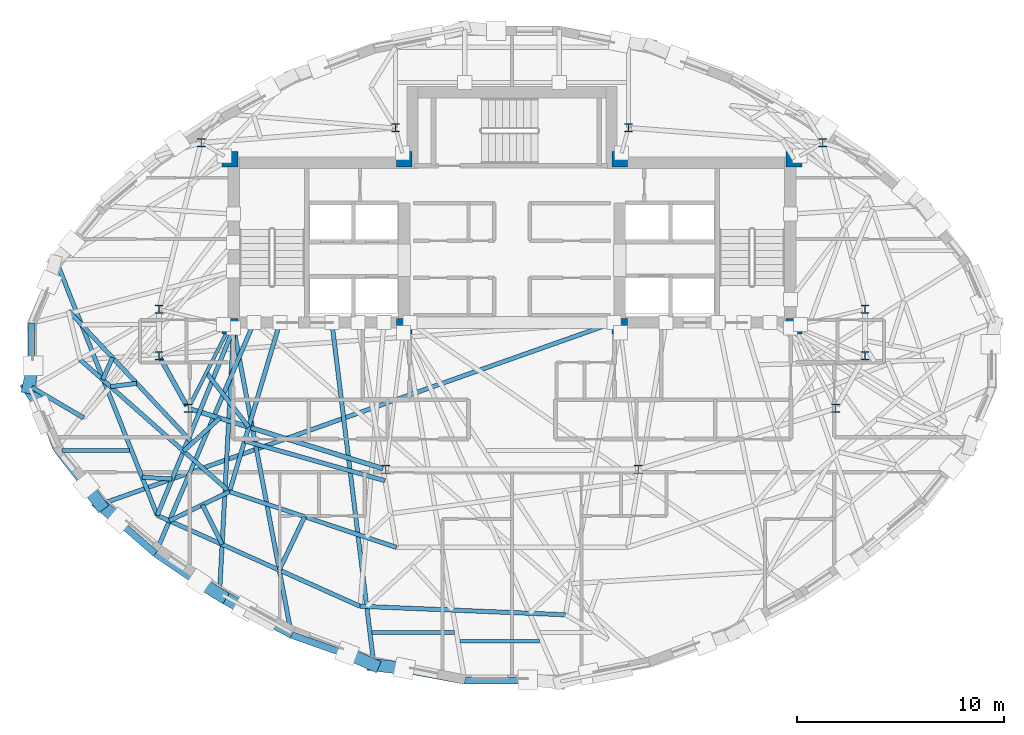
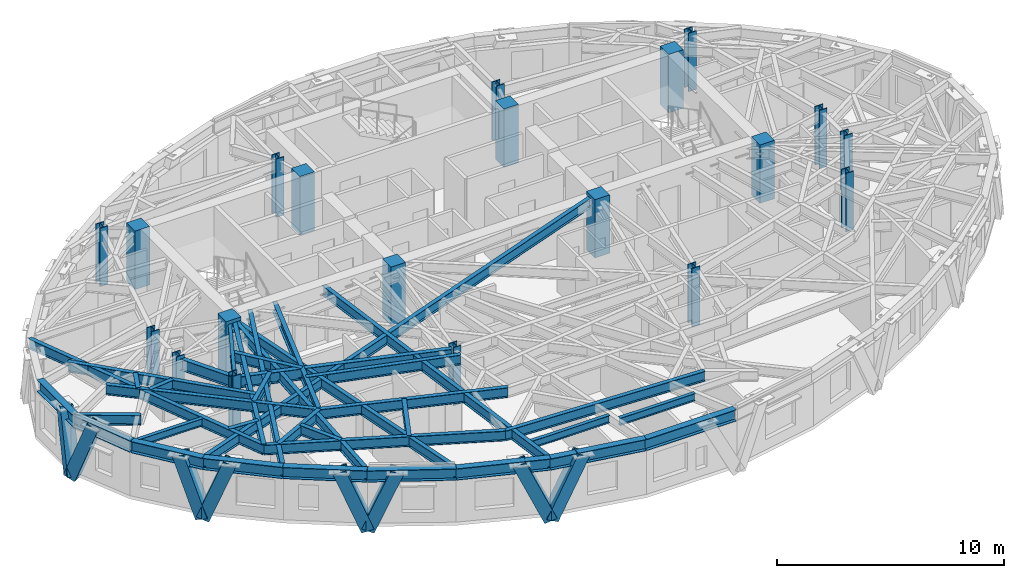
# One storey, part 1 of 14: 38 beams, 20 columns, 8 members.
"""IFC4 building model written with IfcOpenShell, lengths in metres."""

from ifc_helpers import new_model, si_unit, direction, frame, origin, origin_2d, place, context, subcontext, project, spatial, rectangle, hollow_rectangle, i_section, extrude, material, material_profile, profile_set, type_object, element, save


model = new_model("IFC4")

# Units and contexts
model_context = context("Model", 3, precision=1e-05, world=origin(), true_north=direction((0.0, 1.0)))
body_context = subcontext(model_context, "Body", "Model", "MODEL_VIEW")
ifc_project = project(units=[si_unit("LENGTHUNIT", "METRE"), si_unit("AREAUNIT", "SQUARE_METRE"), si_unit("VOLUMEUNIT", "CUBIC_METRE"), si_unit("PLANEANGLEUNIT", "RADIAN"), si_unit("MASSUNIT", "GRAM", prefix="KILO")], contexts=[model_context])

# Site, building, storey
site_placement = place(None, origin())
site = spatial("IfcSite", under=ifc_project, at=site_placement, CompositionType="ELEMENT")
building_placement = place(site_placement, origin())
building = spatial("IfcBuilding", under=site, at=building_placement, Name="Keldmark Tower", CompositionType="ELEMENT")
storey_placement = place(building_placement, frame((0.0, 0.0, 216.300048828125)))
storey = spatial("IfcBuildingStorey", under=building, at=storey_placement, Name="L60", CompositionType="ELEMENT", Elevation=216.300048828125)

# Columns
ifc_material_1 = material(Name="Concrete C50/60", Category="concrete")
ifc_material_profile_1 = material_profile(ifc_material_1, rectangle(XDim=0.75, YDim=0.75, at=origin_2d()), Name="RC750X750")
ifc_profile_set_1 = profile_set([ifc_material_profile_1], Name="Concrete C50/60")
column_type_1 = type_object("IfcColumnType", Name="Core Boundary Column RC750", PredefinedType="PILASTER", material=ifc_profile_set_1)
for number, where, z_axis, x_axis, name in (
    (1, (-13.60009765625, 1.39990234375, 0.0), (0.0, 0.0, 1.0), (1.0, 0.0, 0.0), "L60 Core Boundary Column CC-W1"),
    (2, (-13.60009765625, 9.449951171875, 0.0), (0.0, 0.0, 1.0), (1.0, 0.0, 0.0), "L60 Core Boundary Column CC-W2"),
    (3, (-5.199951171875, 1.39990234375, 0.0), (0.0, 0.0, 1.0), (1.0, 0.0, 0.0), "L60 Core Boundary Column CC-W3"),
    (4, (-5.199951171875, 9.449951171875, 0.0), (0.0, 0.0, 1.0), (1.0, 0.0, 0.0), "L60 Core Boundary Column CC-W4"),
    (5, (5.199951171875, 1.39990234375, 0.0), (0.0, 0.0, 1.0), (1.0, 0.0, 0.0), "L60 Core Boundary Column CC-E1"),
    (6, (5.199951171875, 9.449951171875, 0.0), (0.0, 0.0, 1.0), (1.0, 0.0, 0.0), "L60 Core Boundary Column CC-E2"),
    (7, (13.60009765625, 1.39990234375, 0.0), (0.0, 0.0, 1.0), (1.0, 0.0, 0.0), "L60 Core Boundary Column CC-E3"),
    (8, (13.60009765625, 9.449951171875, 0.0), (0.0, 0.0, 1.0), (1.0, 0.0, 0.0), "L60 Core Boundary Column CC-E4"),
):
    element("IfcColumn", number, at=place(storey_placement, frame(where, z_axis=z_axis, x_axis=x_axis)), inside=storey, type_object=column_type_1, Name=name, PredefinedType="PILASTER", context=body_context, shape_type="SweptSolid", body=[
        extrude(rectangle(XDim=0.75, YDim=0.75, at=origin_2d()), origin(), (0.0, 0.0, 1.0), 3.14990234375),
    ])
ifc_material_2 = material(Name="Steel ASTM A992 Grade 50", Category="steel")
ifc_material_profile_2 = material_profile(ifc_material_2, i_section(OverallWidth=0.404052734375, OverallDepth=0.406982421875, WebThickness=0.027099609375, FlangeThickness=0.043701171875, at=origin_2d()), Name="W14X233")
ifc_profile_set_2 = profile_set([ifc_material_profile_2], Name="Steel ASTM A992 Grade 50")
column_type_2 = type_object("IfcColumnType", Name="Tower Gravity Column W14X233", PredefinedType="COLUMN", material=ifc_profile_set_2)
for number, where, z_axis, x_axis, name in (
    (9, (17.025634765625, 2.2080078125, 0.0), (0.0, 0.0, 1.0), (1.0, 0.0, 0.0), "L60 Tower Gravity Column TC-E1"),
    (10, (14.995849609375, 10.24365234375, 0.0), (0.0, 0.0, 1.0), (1.0, 0.0, 0.0), "L60 Tower Gravity Column TC-E4"),
    (11, (5.61865234375, 10.967041015625, 0.0), (0.0, 0.0, 1.0), (1.0, 0.0, 0.0), "L60 Tower Gravity Column TC-N2"),
    (12, (-5.61865234375, 10.967041015625, 0.0), (0.0, 0.0, 1.0), (1.0, 0.0, 0.0), "L60 Tower Gravity Column TC-N1"),
    (13, (-14.995849609375, 10.24365234375, 0.0), (0.0, 0.0, 1.0), (1.0, 0.0, 0.0), "L60 Tower Gravity Column TC-W4"),
    (14, (-17.025634765625, 2.2080078125, 0.0), (0.0, 0.0, 1.0), (1.0, 0.0, 0.0), "L60 Tower Gravity Column TC-W1"),
    (15, (-17.025634765625, -0.02392578125, 0.0), (0.0, 0.0, 1.0), (1.0, 0.0, 0.0), "L60 Tower Gravity Column TC-W5"),
    (16, (-15.6162109375, -2.5673828125, 0.0), (0.0, 0.0, 1.0), (1.0, 0.0, 0.0), "L60 Tower Gravity Column TC-W2"),
    (17, (-6.089599609375, -5.512939453125, 0.0), (0.0, 0.0, 1.0), (1.0, 0.0, 0.0), "L60 Tower Gravity Column TC-W3"),
    (18, (6.089599609375, -5.512939453125, 0.0), (0.0, 0.0, 1.0), (1.0, 0.0, 0.0), "L60 Tower Gravity Column TC-E3"),
    (19, (15.6162109375, -2.5673828125, 0.0), (0.0, 0.0, 1.0), (1.0, 0.0, 0.0), "L60 Tower Gravity Column TC-E2"),
    (20, (17.025634765625, -0.02392578125, 0.0), (0.0, 0.0, 1.0), (1.0, 0.0, 0.0), "L60 Tower Gravity Column TC-E5"),
):
    element("IfcColumn", number, at=place(storey_placement, frame(where, z_axis=z_axis, x_axis=x_axis)), inside=storey, type_object=column_type_2, Name=name, PredefinedType="COLUMN", context=body_context, shape_type="SweptSolid", body=[
        extrude(i_section(OverallWidth=0.404052734375, OverallDepth=0.406982421875, WebThickness=0.027099609375, FlangeThickness=0.043701171875, at=origin_2d()), origin(), (0.0, 0.0, 1.0), 3.14990234375),
    ])

# Beams
ifc_material_3 = material(Name="Steel ASTM A992 Grade 50", Category="steel")
ifc_material_profile_3 = material_profile(ifc_material_3, i_section(OverallWidth=0.177978515625, OverallDepth=0.403076171875, WebThickness=0.007568359375, FlangeThickness=0.010986328125, at=origin_2d()), Name="W16X36")
ifc_profile_set_3 = profile_set([ifc_material_profile_3], Name="Steel ASTM A992 Grade 50")
beam_type_1 = type_object("IfcBeamType", Name="Composite Floor Joist W16X36", PredefinedType="JOIST", material=ifc_profile_set_3)
beam_1_placement = place(storey_placement, frame((-6.75439453125, -13.3798828125, 2.7685546875), z_axis=(1.0, 0.0, 0.0), x_axis=(0.0, 1.0, 0.0)))
element("IfcBeam", 21, at=beam_1_placement, inside=storey, type_object=beam_type_1, Name="L60 Composite Floor Joist J01", PredefinedType="JOIST", context=body_context, shape_type="SweptSolid", body=[
    extrude(i_section(OverallWidth=0.177978515625, OverallDepth=0.403076171875, WebThickness=0.007568359375, FlangeThickness=0.010986328125, at=origin_2d()), origin(), (0.0, 0.0, 1.0), 3.9765625),
])
beam_2_placement = place(storey_placement, frame((-2.5107421875, -13.800048828125, 2.7685546875), z_axis=(1.0, 0.0, 0.0), x_axis=(0.0, 1.0, 0.0)))
element("IfcBeam", 22, at=beam_2_placement, inside=storey, type_object=beam_type_1, Name="L60 Composite Floor Joist J02", PredefinedType="JOIST", context=body_context, shape_type="SweptSolid", body=[
    extrude(i_section(OverallWidth=0.177978515625, OverallDepth=0.403076171875, WebThickness=0.007568359375, FlangeThickness=0.010986328125, at=origin_2d()), origin(), (0.0, 0.0, 1.0), 3.84765625),
])
beam_3_placement = place(storey_placement, frame((-21.712646484375, -4.60009765625, 2.7685546875), z_axis=(1.0, 0.0, 0.0), x_axis=(0.0, 1.0, 0.0)))
element("IfcBeam", 23, at=beam_3_placement, inside=storey, type_object=beam_type_1, Name="L60 Composite Floor Joist J04", PredefinedType="JOIST", context=body_context, shape_type="SweptSolid", body=[
    extrude(i_section(OverallWidth=0.177978515625, OverallDepth=0.403076171875, WebThickness=0.007568359375, FlangeThickness=0.010986328125, at=origin_2d()), origin(), (0.0, 0.0, 1.0), 3.26025390625),
])

# Members
ifc_material_4 = material(Name="Steel ASTM A572 Grade 50", Category="steel")
ifc_material_profile_4 = material_profile(ifc_material_4, hollow_rectangle(XDim=0.60009765625, YDim=0.60009765625, WallThickness=0.034912109375, at=origin_2d()), Name="BOX600X600X35")
ifc_profile_set_4 = profile_set([ifc_material_profile_4], Name="Steel ASTM A572 Grade 50")
member_type = type_object("IfcMemberType", Name="Diagrid Zone 4 Brace BOX600X600X35", PredefinedType="BRACE", material=ifc_profile_set_4)
member_1_placement = place(storey_placement, frame((-23.32421875, -1.56787109375, -0.260009765625), z_axis=(0.068367800686, 0.318158950856, 0.945568995801), x_axis=(-0.977682077903, 0.21008987255, 0.0)))
element("IfcMember", 24, at=member_1_placement, inside=storey, type_object=member_type, Name="L60 Perimeter Diagrid Brace 08B", PredefinedType="BRACE", context=body_context, shape_type="SweptSolid", body=[
    extrude(hollow_rectangle(XDim=0.60009765625, YDim=0.60009765625, WallThickness=0.034912109375, at=origin_2d()), origin(), (0.0, 0.0, 1.0), 3.288818359375),
])
member_2_placement = place(storey_placement, frame((-23.32421875, -1.55615234375, -0.260009765625), z_axis=(0.187188112077, -0.29410019024, 0.937265004573), x_axis=(0.843618030862, 0.53694377546, 0.0)))
element("IfcMember", 25, at=member_2_placement, inside=storey, type_object=member_type, Name="L60 Perimeter Diagrid Brace 09A", PredefinedType="BRACE", context=body_context, shape_type="SweptSolid", body=[
    extrude(hollow_rectangle(XDim=0.60009765625, YDim=0.60009765625, WallThickness=0.034912109375, at=origin_2d()), origin(), (0.0, 0.0, 1.0), 3.318115234375),
])
member_3_placement = place(storey_placement, frame((-19.85986328125, -7.202880859375, -0.260009765625), z_axis=(-0.202833431258, 0.27361846058, 0.940208241399), x_axis=(-0.803342158956, -0.595517737472, 0.0)))
element("IfcMember", 26, at=member_3_placement, inside=storey, type_object=member_type, Name="L60 Perimeter Diagrid Brace 09B", PredefinedType="BRACE", context=body_context, shape_type="SweptSolid", body=[
    extrude(hollow_rectangle(XDim=0.60009765625, YDim=0.60009765625, WallThickness=0.034912109375, at=origin_2d()), origin(), (0.0, 0.0, 1.0), 3.3076171875),
])
member_4_placement = place(storey_placement, frame((-19.864501953125, -7.192138671875, -0.260009765625), z_axis=(0.275811316316, -0.233575878547, 0.932400357547), x_axis=(0.646259941561, 0.763117348731, 0.0)))
element("IfcMember", 27, at=member_4_placement, inside=storey, type_object=member_type, Name="L60 Perimeter Diagrid Brace 10A", PredefinedType="BRACE", context=body_context, shape_type="SweptSolid", body=[
    extrude(hollow_rectangle(XDim=0.60009765625, YDim=0.60009765625, WallThickness=0.034912109375, at=origin_2d()), origin(), (0.0, 0.0, 1.0), 3.33544921875),
])
member_5_placement = place(storey_placement, frame((-14.026123046875, -11.591796875, -0.260009765625), z_axis=(-0.31895258987, 0.197571590576, 0.926949142085), x_axis=(-0.526594973861, -0.850116305869, 0.0)))
element("IfcMember", 28, at=member_5_placement, inside=storey, type_object=member_type, Name="L60 Perimeter Diagrid Brace 10B", PredefinedType="BRACE", context=body_context, shape_type="SweptSolid", body=[
    extrude(hollow_rectangle(XDim=0.60009765625, YDim=0.60009765625, WallThickness=0.034912109375, at=origin_2d()), origin(), (0.0, 0.0, 1.0), 3.35498046875),
])
member_6_placement = place(storey_placement, frame((-14.034423828125, -11.58349609375, -0.260009765625), z_axis=(0.332031167582, -0.191358430061, 0.923654294094), x_axis=(0.499334736029, 0.866409153573, 0.0)))
element("IfcMember", 29, at=member_6_placement, inside=storey, type_object=member_type, Name="L60 Perimeter Diagrid Brace 11A", PredefinedType="BRACE", context=body_context, shape_type="SweptSolid", body=[
    extrude(hollow_rectangle(XDim=0.60009765625, YDim=0.60009765625, WallThickness=0.034912109375, at=origin_2d()), origin(), (0.0, 0.0, 1.0), 3.366943359375),
])
member_7_placement = place(storey_placement, frame((-6.676025390625, -14.93701171875, -0.260009765625), z_axis=(-0.376470155589, 0.163645327187, 0.911860970127), x_axis=(-0.398649590278, -0.917103322517, 0.0)))
element("IfcMember", 30, at=member_7_placement, inside=storey, type_object=member_type, Name="L60 Perimeter Diagrid Brace 11B", PredefinedType="BRACE", context=body_context, shape_type="SweptSolid", body=[
    extrude(hollow_rectangle(XDim=0.60009765625, YDim=0.60009765625, WallThickness=0.034912109375, at=origin_2d()), origin(), (0.0, 0.0, 1.0), 3.410400390625),
])
member_8_placement = place(storey_placement, frame((-6.68701171875, -14.9326171875, -0.260009765625), z_axis=(0.434085863676, -0.051824824974, 0.899379591982), x_axis=(0.118546551055, 0.99294849576, 0.0)))
element("IfcMember", 31, at=member_8_placement, inside=storey, type_object=member_type, Name="L60 Perimeter Diagrid Brace 12A", PredefinedType="BRACE", context=body_context, shape_type="SweptSolid", body=[
    extrude(hollow_rectangle(XDim=0.60009765625, YDim=0.60009765625, WallThickness=0.034912109375, at=origin_2d()), origin(), (0.0, 0.0, 1.0), 3.457763671875),
])

# Beams
ifc_material_5 = material(Name="Steel ASTM A992 Grade 50", Category="steel")
ifc_material_profile_5 = material_profile(ifc_material_5, i_section(OverallWidth=0.22802734375, OverallDepth=0.60302734375, WebThickness=0.010498046875, FlangeThickness=0.014892578125, at=origin_2d()), Name="W24X68")
ifc_profile_set_5 = profile_set([ifc_material_profile_5], Name="Steel ASTM A992 Grade 50")
beam_type_2 = type_object("IfcBeamType", Name="Primary Floor Girder W24X68", PredefinedType="BEAM", material=ifc_profile_set_5)
beam_4_placement = place(storey_placement, frame((-16.957763671875, -0.146484375, 2.66845703125), z_axis=(0.484719680408, -0.874669555561, 0.0), x_axis=(0.874669555561, 0.484719680408, 0.0)))
element("IfcBeam", 32, at=beam_4_placement, inside=storey, type_object=beam_type_2, Name="L60 Floor Ring Girder FG-R07", PredefinedType="BEAM", context=body_context, shape_type="SweptSolid", body=[
    extrude(i_section(OverallWidth=0.22802734375, OverallDepth=0.60302734375, WebThickness=0.010498046875, FlangeThickness=0.014892578125, at=origin_2d()), origin(), (0.0, 0.0, 1.0), 2.627685546875),
])
beam_5_placement = place(storey_placement, frame((-15.482421875, -2.60888671875, 2.66845703125), z_axis=(0.955383255089, -0.295368982622, 0.0), x_axis=(0.295368982622, 0.955383255089, 0.0)))
element("IfcBeam", 33, at=beam_5_placement, inside=storey, type_object=beam_type_2, Name="L60 Floor Ring Girder FG-R08", PredefinedType="BEAM", context=body_context, shape_type="SweptSolid", body=[
    extrude(i_section(OverallWidth=0.22802734375, OverallDepth=0.60302734375, WebThickness=0.010498046875, FlangeThickness=0.014892578125, at=origin_2d()), origin(), (0.0, 0.0, 1.0), 9.69140625),
])
ifc_material_6 = material(Name="Steel ASTM A992 Grade 50", Category="steel")
ifc_material_profile_6 = material_profile(ifc_material_6, i_section(OverallWidth=0.166015625, OverallDepth=0.529052734375, WebThickness=0.009765625, FlangeThickness=0.013671875, at=origin_2d()), Name="W21X50")
ifc_profile_set_6 = profile_set([ifc_material_profile_6], Name="Steel ASTM A992 Grade 50")
beam_type_3 = type_object("IfcBeamType", Name="Radial Tie Girder W21X50", PredefinedType="BEAM", material=ifc_profile_set_6)
beam_6_placement = place(storey_placement, frame((-15.552734375, -2.442626953125, 2.70556640625), z_axis=(0.453004410574, 0.89150827478, 0.0), x_axis=(-0.89150827478, 0.453004410574, 0.0)))
element("IfcBeam", 34, at=beam_6_placement, inside=storey, type_object=beam_type_3, Name="L60 Floor Radial Girder FG-C08", PredefinedType="BEAM", context=body_context, shape_type="SweptSolid", body=[
    extrude(i_section(OverallWidth=0.166015625, OverallDepth=0.529052734375, WebThickness=0.009765625, FlangeThickness=0.013671875, at=origin_2d()), origin(), (0.0, 0.0, 1.0), 3.990234375),
])
ifc_material_7 = material(Name="Steel ASTM A992 Grade 50", Category="steel")
ifc_material_profile_7 = material_profile(ifc_material_7, i_section(OverallWidth=0.2099609375, OverallDepth=0.537109375, WebThickness=0.010986328125, FlangeThickness=0.017333984375, at=origin_2d()), Name="W21X68")
ifc_profile_set_7 = profile_set([ifc_material_profile_7], Name="Steel ASTM A992 Grade 50")
beam_type_4 = type_object("IfcBeamType", Name="Radial Tie Girder W21X68", PredefinedType="BEAM", material=ifc_profile_set_7)
beam_7_placement = place(storey_placement, frame((-14.7392578125, -0.841796875, 2.701416015625), z_axis=(0.613585078734, -0.789628615968, 0.0), x_axis=(0.789628615968, 0.613585078734, 0.0)))
element("IfcBeam", 35, at=beam_7_placement, inside=storey, type_object=beam_type_4, Name="L60 Framing Pin Header PH-002", PredefinedType="BEAM", context=body_context, shape_type="SweptSolid", body=[
    extrude(i_section(OverallWidth=0.2099609375, OverallDepth=0.537109375, WebThickness=0.010986328125, FlangeThickness=0.017333984375, at=origin_2d()), origin(), (0.0, 0.0, 1.0), 3.328369140625),
])
beam_8_placement = place(storey_placement, frame((-11.19287109375, 1.574951171875, 2.701416015625), z_axis=(-0.285727051834, -0.958311041286, 0.0), x_axis=(0.958311041286, -0.285727051834, 0.0)))
element("IfcBeam", 36, at=beam_8_placement, inside=storey, type_object=beam_type_4, Name="L60 Sub-Ring Step Girder STP1-M08", PredefinedType="BEAM", context=body_context, shape_type="SweptSolid", body=[
    extrude(i_section(OverallWidth=0.2099609375, OverallDepth=0.537109375, WebThickness=0.010986328125, FlangeThickness=0.017333984375, at=origin_2d()), origin(), (0.0, 0.0, 1.0), 8.5146484375),
])
beam_9_placement = place(storey_placement, frame((-12.89599609375, -4.13671875, 2.701416015625), z_axis=(0.962196272874, -0.272356994527, 0.0), x_axis=(0.272356994527, 0.962196272874, 0.0)))
element("IfcBeam", 37, at=beam_9_placement, inside=storey, type_object=beam_type_4, Name="L60 Framing Pin Header PH-003", PredefinedType="BEAM", context=body_context, shape_type="SweptSolid", body=[
    extrude(i_section(OverallWidth=0.2099609375, OverallDepth=0.537109375, WebThickness=0.010986328125, FlangeThickness=0.017333984375, at=origin_2d()), origin(), (0.0, 0.0, 1.0), 7.040283203125),
])
beam_10_placement = place(storey_placement, frame((-20.819091796875, -0.227783203125, 2.701416015625), z_axis=(0.749328498529, -0.662198460654, 0.0), x_axis=(0.662198460654, 0.749328498529, 0.0)))
element("IfcBeam", 38, at=beam_10_placement, inside=storey, type_object=beam_type_4, Name="L60 Perimeter Collector Ring Beam CRG1-M07", PredefinedType="BEAM", context=body_context, shape_type="SweptSolid", body=[
    extrude(i_section(OverallWidth=0.2099609375, OverallDepth=0.537109375, WebThickness=0.010986328125, FlangeThickness=0.017333984375, at=origin_2d()), origin(), (0.0, 0.0, 1.0), 9.599853515625),
])
beam_11_placement = place(storey_placement, frame((-13.625732421875, -6.584716796875, 2.701416015625), z_axis=(0.948654546152, -0.316314008646, 0.0), x_axis=(0.316314008646, 0.948654546152, 0.0)))
element("IfcBeam", 39, at=beam_11_placement, inside=storey, type_object=beam_type_4, Name="L60 Perimeter Collector Ring Beam CRG1-M08", PredefinedType="BEAM", context=body_context, shape_type="SweptSolid", body=[
    extrude(i_section(OverallWidth=0.2099609375, OverallDepth=0.537109375, WebThickness=0.010986328125, FlangeThickness=0.017333984375, at=origin_2d()), origin(), (0.0, 0.0, 1.0), 8.492431640625),
])
beam_12_placement = place(storey_placement, frame((-14.093505859375, -3.0380859375, 2.701416015625), z_axis=(-0.740342142642, -0.672230252093, 0.0), x_axis=(0.672230252093, -0.740342142642, 0.0)))
element("IfcBeam", 40, at=beam_12_placement, inside=storey, type_object=beam_type_4, Name="L60 Framing Pin Header PH-008", PredefinedType="BEAM", context=body_context, shape_type="SweptSolid", body=[
    extrude(i_section(OverallWidth=0.2099609375, OverallDepth=0.537109375, WebThickness=0.010986328125, FlangeThickness=0.017333984375, at=origin_2d()), origin(), (0.0, 0.0, 1.0), 2.362060546875),
])
beam_13_placement = place(storey_placement, frame((-13.425048828125, 1.300048828125, 2.701416015625), z_axis=(-0.377681877292, -0.92593541868, 0.0), x_axis=(0.92593541868, -0.377681877292, 0.0)))
element("IfcBeam", 41, at=beam_13_placement, inside=storey, type_object=beam_type_4, Name="L60 Sub-Ring Step Girder STP2-M08", PredefinedType="BEAM", context=body_context, shape_type="SweptSolid", body=[
    extrude(i_section(OverallWidth=0.2099609375, OverallDepth=0.537109375, WebThickness=0.010986328125, FlangeThickness=0.017333984375, at=origin_2d()), origin(), (0.0, 0.0, 1.0), 9.74853515625),
])
beam_14_placement = place(storey_placement, frame((-17.10693359375, -7.7265625, 2.701416015625), z_axis=(0.912508738135, -0.409057212168, 0.0), x_axis=(0.409057212168, 0.912508738135, 0.0)))
element("IfcBeam", 42, at=beam_14_placement, inside=storey, type_object=beam_type_4, Name="L60 Perimeter Collector Ring Beam CRG2-M08", PredefinedType="BEAM", context=body_context, shape_type="SweptSolid", body=[
    extrude(i_section(OverallWidth=0.2099609375, OverallDepth=0.537109375, WebThickness=0.010986328125, FlangeThickness=0.017333984375, at=origin_2d()), origin(), (0.0, 0.0, 1.0), 10.718017578125),
])
beam_15_placement = place(storey_placement, frame((-7.32666015625, -12.11083984375, 2.701416015625), z_axis=(0.99914358434, -0.041377504417, 0.0), x_axis=(0.041377504417, 0.99914358434, 0.0)))
element("IfcBeam", 43, at=beam_15_placement, inside=storey, type_object=beam_type_4, Name="L60 Perimeter Collector Ring Beam CRG2-M09", PredefinedType="BEAM", context=body_context, shape_type="SweptSolid", body=[
    extrude(i_section(OverallWidth=0.2099609375, OverallDepth=0.537109375, WebThickness=0.010986328125, FlangeThickness=0.017333984375, at=origin_2d()), origin(), (0.0, 0.0, 1.0), 9.91259765625),
])
beam_16_placement = place(storey_placement, frame((-19.740234375, -1.18115234375, 2.701416015625), z_axis=(0.407228852409, 0.913326153006, 0.0), x_axis=(-0.913326153006, 0.407228852409, 0.0)))
element("IfcBeam", 44, at=beam_16_placement, inside=storey, type_object=beam_type_4, Name="L60 Framing Pin Header PH-018", PredefinedType="BEAM", context=body_context, shape_type="SweptSolid", body=[
    extrude(i_section(OverallWidth=0.2099609375, OverallDepth=0.537109375, WebThickness=0.010986328125, FlangeThickness=0.017333984375, at=origin_2d()), origin(), (0.0, 0.0, 1.0), 1.1630859375),
])
beam_17_placement = place(storey_placement, frame((-15.405029296875, -4.22900390625, 2.701416015625), z_axis=(-0.684742851069, 0.72878476103, 0.0), x_axis=(-0.72878476103, -0.684742851069, 0.0)))
element("IfcBeam", 45, at=beam_17_placement, inside=storey, type_object=beam_type_4, Name="L60 Intermediate Radial Step Girder RT-15M", PredefinedType="BEAM", context=body_context, shape_type="SweptSolid", body=[
    extrude(i_section(OverallWidth=0.2099609375, OverallDepth=0.537109375, WebThickness=0.010986328125, FlangeThickness=0.017333984375, at=origin_2d()), origin(), (0.0, 0.0, 1.0), 8.74755859375),
])
beam_18_placement = place(storey_placement, frame((-17.10693359375, -7.7265625, 2.701416015625), z_axis=(-0.369092729053, 0.929392574406, 0.0), x_axis=(-0.929392574406, -0.369092729053, 0.0)))
element("IfcBeam", 46, at=beam_18_placement, inside=storey, type_object=beam_type_4, Name="L60 Perimeter Radial Tie Girder RT-15", PredefinedType="BEAM", context=body_context, shape_type="SweptSolid", body=[
    extrude(i_section(OverallWidth=0.2099609375, OverallDepth=0.537109375, WebThickness=0.010986328125, FlangeThickness=0.017333984375, at=origin_2d()), origin(), (0.0, 0.0, 1.0), 13.177001953125),
])
beam_19_placement = place(storey_placement, frame((-18.100341796875, -1.360107421875, 2.701416015625), z_axis=(-0.992325142557, -0.123656020671, 0.0), x_axis=(0.123656020671, -0.992325142557, 0.0)))
element("IfcBeam", 47, at=beam_19_placement, inside=storey, type_object=beam_type_4, Name="L60 Framing Pin Header PH-020", PredefinedType="BEAM", context=body_context, shape_type="SweptSolid", body=[
    extrude(i_section(OverallWidth=0.2099609375, OverallDepth=0.537109375, WebThickness=0.010986328125, FlangeThickness=0.017333984375, at=origin_2d()), origin(), (0.0, 0.0, 1.0), 1.26953125),
])
beam_20_placement = place(storey_placement, frame((-23.1591796875, -1.547119140625, 2.701416015625), z_axis=(0.860709423038, -0.509096542017, 0.0), x_axis=(0.509096542017, 0.860709423038, 0.0)))
element("IfcBeam", 48, at=beam_20_placement, inside=storey, type_object=beam_type_4, Name="L60 Local Collector Chord RT-18C", PredefinedType="BEAM", context=body_context, shape_type="SweptSolid", body=[
    extrude(i_section(OverallWidth=0.2099609375, OverallDepth=0.537109375, WebThickness=0.010986328125, FlangeThickness=0.017333984375, at=origin_2d()), origin(), (0.0, 0.0, 1.0), 2.911376953125),
])
beam_21_placement = place(storey_placement, frame((-17.83642578125, -5.8896484375, 2.701416015625), z_axis=(0.998393216226, -0.056665560921, 0.0), x_axis=(0.056665560921, 0.998393216226, 0.0)))
element("IfcBeam", 49, at=beam_21_placement, inside=storey, type_object=beam_type_4, Name="L60 Framing Pin Header PH-021", PredefinedType="BEAM", context=body_context, shape_type="SweptSolid", body=[
    extrude(i_section(OverallWidth=0.2099609375, OverallDepth=0.537109375, WebThickness=0.010986328125, FlangeThickness=0.017333984375, at=origin_2d()), origin(), (0.0, 0.0, 1.0), 1.44775390625),
])
beam_22_placement = place(storey_placement, frame((4.925048828125, 1.574951171875, 2.701416015625), z_axis=(-0.94266654751, -0.333736093651, 0.0), x_axis=(0.333736093651, -0.94266654751, 0.0)))
element("IfcBeam", 50, at=beam_22_placement, inside=storey, type_object=beam_type_4, Name="L60 Perimeter Radial Tie Girder RT-19", PredefinedType="BEAM", context=body_context, shape_type="SweptSolid", body=[
    extrude(i_section(OverallWidth=0.2099609375, OverallDepth=0.537109375, WebThickness=0.010986328125, FlangeThickness=0.017333984375, at=origin_2d()), origin(), (0.0, 0.0, 1.0), 26.331787109375),
])
beam_23_placement = place(storey_placement, frame((-13.625732421875, -6.584716796875, 2.701416015625), z_axis=(-0.899968307455, -0.435955325207, 0.0), x_axis=(0.435955325207, -0.899968307455, 0.0)))
element("IfcBeam", 51, at=beam_23_placement, inside=storey, type_object=beam_type_4, Name="L60 Framing Pin Header PH-022", PredefinedType="BEAM", context=body_context, shape_type="SweptSolid", body=[
    extrude(i_section(OverallWidth=0.2099609375, OverallDepth=0.537109375, WebThickness=0.010986328125, FlangeThickness=0.017333984375, at=origin_2d()), origin(), (0.0, 0.0, 1.0), 3.219482421875),
])
beam_24_placement = place(storey_placement, frame((-12.4462890625, 1.574951171875, 2.701416015625), z_axis=(-0.392155736841, -0.919898841212, 0.0), x_axis=(0.919898841212, -0.392155736841, 0.0)))
element("IfcBeam", 52, at=beam_24_placement, inside=storey, type_object=beam_type_4, Name="L60 Perimeter Radial Tie Girder RT-20", PredefinedType="BEAM", context=body_context, shape_type="SweptSolid", body=[
    extrude(i_section(OverallWidth=0.2099609375, OverallDepth=0.537109375, WebThickness=0.010986328125, FlangeThickness=0.017333984375, at=origin_2d()), origin(), (0.0, 0.0, 1.0), 12.1181640625),
])
beam_25_placement = place(storey_placement, frame((-14.9296875, -7.21630859375, 2.701416015625), z_axis=(0.445016892694, -0.895522174609, 0.0), x_axis=(0.895522174609, 0.445016892694, 0.0)))
element("IfcBeam", 53, at=beam_25_placement, inside=storey, type_object=beam_type_4, Name="L60 Framing Pin Header PH-023", PredefinedType="BEAM", context=body_context, shape_type="SweptSolid", body=[
    extrude(i_section(OverallWidth=0.2099609375, OverallDepth=0.537109375, WebThickness=0.010986328125, FlangeThickness=0.017333984375, at=origin_2d()), origin(), (0.0, 0.0, 1.0), 2.13525390625),
])
beam_26_placement = place(storey_placement, frame((-13.425048828125, 1.300048828125, 2.701416015625), z_axis=(-0.053105627945, -0.998588900539, 0.0), x_axis=(0.998588900539, -0.053105627945, 0.0)))
element("IfcBeam", 54, at=beam_26_placement, inside=storey, type_object=beam_type_4, Name="L60 Perimeter Radial Tie Girder RT-21", PredefinedType="BEAM", context=body_context, shape_type="SweptSolid", body=[
    extrude(i_section(OverallWidth=0.2099609375, OverallDepth=0.537109375, WebThickness=0.010986328125, FlangeThickness=0.017333984375, at=origin_2d()), origin(), (0.0, 0.0, 1.0), 12.982666015625),
])
beam_27_placement = place(storey_placement, frame((-10.00048828125, -7.79345703125, 2.701416015625), z_axis=(-0.430359653463, -0.902657503526, 0.0), x_axis=(0.902657503526, -0.430359653463, 0.0)))
element("IfcBeam", 55, at=beam_27_placement, inside=storey, type_object=beam_type_4, Name="L60 Framing Pin Header PH-024", PredefinedType="BEAM", context=body_context, shape_type="SweptSolid", body=[
    extrude(i_section(OverallWidth=0.2099609375, OverallDepth=0.537109375, WebThickness=0.010986328125, FlangeThickness=0.017333984375, at=origin_2d()), origin(), (0.0, 0.0, 1.0), 2.8466796875),
])
beam_28_placement = place(storey_placement, frame((-13.425048828125, 1.300048828125, 2.701416015625), z_axis=(0.185323358239, -0.982677593563, 0.0), x_axis=(0.982677593563, 0.185323358239, 0.0)))
element("IfcBeam", 56, at=beam_28_placement, inside=storey, type_object=beam_type_4, Name="L60 Perimeter Radial Tie Girder RT-22", PredefinedType="BEAM", context=body_context, shape_type="SweptSolid", body=[
    extrude(i_section(OverallWidth=0.2099609375, OverallDepth=0.537109375, WebThickness=0.010986328125, FlangeThickness=0.017333984375, at=origin_2d()), origin(), (0.0, 0.0, 1.0), 15.054931640625),
])
beam_29_placement = place(storey_placement, frame((-8.685791015625, 1.574951171875, 2.701416015625), z_axis=(0.121753522437, -0.992560365809, 0.0), x_axis=(0.992560365809, 0.121753522437, 0.0)))
element("IfcBeam", 57, at=beam_29_placement, inside=storey, type_object=beam_type_4, Name="L60 Perimeter Radial Tie Girder RT-23", PredefinedType="BEAM", context=body_context, shape_type="SweptSolid", body=[
    extrude(i_section(OverallWidth=0.2099609375, OverallDepth=0.537109375, WebThickness=0.010986328125, FlangeThickness=0.017333984375, at=origin_2d()), origin(), (0.0, 0.0, 1.0), 16.59912109375),
])
ifc_material_8 = material(Name="Steel ASTM A992 Grade 50", Category="steel")
ifc_material_profile_8 = material_profile(ifc_material_8, i_section(OverallWidth=0.326904296875, OverallDepth=0.6220703125, WebThickness=0.015380859375, FlangeThickness=0.0244140625, at=origin_2d()), Name="W24X131")
ifc_profile_set_8 = profile_set([ifc_material_profile_8], Name="Steel ASTM A992 Grade 50")
beam_type_5 = type_object("IfcBeamType", Name="Spandrel Ring Beam W24X131", PredefinedType="SPANDREL", material=ifc_profile_set_8)
beam_30_placement = place(storey_placement, frame((-23.1591796875, 1.547119140625, 2.658935546875), z_axis=(0.0, -1.0, 0.0), x_axis=(1.0, 0.0, 0.0)))
element("IfcBeam", 58, at=beam_30_placement, inside=storey, type_object=beam_type_5, Name="L60 Perimeter Spandrel Ring Beam SRB-16", PredefinedType="SPANDREL", context=body_context, shape_type="SweptSolid", body=[
    extrude(i_section(OverallWidth=0.326904296875, OverallDepth=0.6220703125, WebThickness=0.015380859375, FlangeThickness=0.0244140625, at=origin_2d()), origin(), (0.0, 0.0, 1.0), 3.09423828125),
])
beam_31_placement = place(storey_placement, frame((-23.1591796875, -1.547119140625, 2.658935546875), z_axis=(0.371272350835, -0.928524012347, 0.0), x_axis=(0.928524012347, 0.371272350835, 0.0)))
element("IfcBeam", 59, at=beam_31_placement, inside=storey, type_object=beam_type_5, Name="L60 Perimeter Spandrel Ring Beam SRB-17", PredefinedType="SPANDREL", context=body_context, shape_type="SweptSolid", body=[
    extrude(i_section(OverallWidth=0.326904296875, OverallDepth=0.6220703125, WebThickness=0.015380859375, FlangeThickness=0.0244140625, at=origin_2d()), origin(), (0.0, 0.0, 1.0), 3.20166015625),
])
beam_32_placement = place(storey_placement, frame((-21.970458984375, -4.52001953125, 2.658935546875), z_axis=(0.61008909013, -0.792332822811, 0.0), x_axis=(0.792332822811, 0.61008909013, 0.0)))
element("IfcBeam", 60, at=beam_32_placement, inside=storey, type_object=beam_type_5, Name="L60 Perimeter Spandrel Ring Beam SRB-18", PredefinedType="SPANDREL", context=body_context, shape_type="SweptSolid", body=[
    extrude(i_section(OverallWidth=0.326904296875, OverallDepth=0.6220703125, WebThickness=0.015380859375, FlangeThickness=0.0244140625, at=origin_2d()), origin(), (0.0, 0.0, 1.0), 3.398681640625),
])
beam_33_placement = place(storey_placement, frame((-19.89697265625, -7.212890625, 2.658935546875), z_axis=(0.752791825906, -0.65825866257, 0.0), x_axis=(0.65825866257, 0.752791825906, 0.0)))
element("IfcBeam", 61, at=beam_33_placement, inside=storey, type_object=beam_type_5, Name="L60 Perimeter Spandrel Ring Beam SRB-19", PredefinedType="SPANDREL", context=body_context, shape_type="SweptSolid", body=[
    extrude(i_section(OverallWidth=0.326904296875, OverallDepth=0.6220703125, WebThickness=0.015380859375, FlangeThickness=0.0244140625, at=origin_2d()), origin(), (0.0, 0.0, 1.0), 3.584716796875),
])
beam_34_placement = place(storey_placement, frame((-17.198486328125, -9.572509765625, 2.658935546875), z_axis=(0.827588821514, -0.561334786473, 0.0), x_axis=(0.561334786473, 0.827588821514, 0.0)))
element("IfcBeam", 62, at=beam_34_placement, inside=storey, type_object=beam_type_5, Name="L60 Perimeter Spandrel Ring Beam SRB-20", PredefinedType="SPANDREL", context=body_context, shape_type="SweptSolid", body=[
    extrude(i_section(OverallWidth=0.326904296875, OverallDepth=0.6220703125, WebThickness=0.015380859375, FlangeThickness=0.0244140625, at=origin_2d()), origin(), (0.0, 0.0, 1.0), 3.7265625),
])
beam_35_placement = place(storey_placement, frame((-14.114501953125, -11.664306640625, 2.658935546875), z_axis=(0.885073090843, -0.465452063982, 0.0), x_axis=(0.465452063982, 0.885073090843, 0.0)))
element("IfcBeam", 63, at=beam_35_placement, inside=storey, type_object=beam_type_5, Name="L60 Perimeter Spandrel Ring Beam SRB-21", PredefinedType="SPANDREL", context=body_context, shape_type="SweptSolid", body=[
    extrude(i_section(OverallWidth=0.326904296875, OverallDepth=0.6220703125, WebThickness=0.015380859375, FlangeThickness=0.0244140625, at=origin_2d()), origin(), (0.0, 0.0, 1.0), 3.931396484375),
])
beam_36_placement = place(storey_placement, frame((-10.635009765625, -13.494140625, 2.658935546875), z_axis=(0.942599100789, -0.333926541609, 0.0), x_axis=(0.333926541609, 0.942599100789, 0.0)))
element("IfcBeam", 64, at=beam_36_placement, inside=storey, type_object=beam_type_5, Name="L60 Perimeter Spandrel Ring Beam SRB-22", PredefinedType="SPANDREL", context=body_context, shape_type="SweptSolid", body=[
    extrude(i_section(OverallWidth=0.326904296875, OverallDepth=0.6220703125, WebThickness=0.015380859375, FlangeThickness=0.0244140625, at=origin_2d()), origin(), (0.0, 0.0, 1.0), 4.2119140625),
])
beam_37_placement = place(storey_placement, frame((-6.664794921875, -14.900634765625, 2.658935546875), z_axis=(0.983508612793, -0.180861296472, 0.0), x_axis=(0.180861296472, 0.983508612793, 0.0)))
element("IfcBeam", 65, at=beam_37_placement, inside=storey, type_object=beam_type_5, Name="L60 Perimeter Spandrel Ring Beam SRB-23", PredefinedType="SPANDREL", context=body_context, shape_type="SweptSolid", body=[
    extrude(i_section(OverallWidth=0.326904296875, OverallDepth=0.6220703125, WebThickness=0.015380859375, FlangeThickness=0.0244140625, at=origin_2d()), origin(), (0.0, 0.0, 1.0), 4.457275390625),
])
beam_38_placement = place(storey_placement, frame((-2.281005859375, -15.706787109375, 2.658935546875), z_axis=(1.0, 0.0, 0.0), x_axis=(0.0, 1.0, 0.0)))
element("IfcBeam", 66, at=beam_38_placement, inside=storey, type_object=beam_type_5, Name="L60 Perimeter Spandrel Ring Beam SRB-24", PredefinedType="SPANDREL", context=body_context, shape_type="SweptSolid", body=[
    extrude(i_section(OverallWidth=0.326904296875, OverallDepth=0.6220703125, WebThickness=0.015380859375, FlangeThickness=0.0244140625, at=origin_2d()), origin(), (0.0, 0.0, 1.0), 4.56201171875),
])

save(model, "model.ifc")
